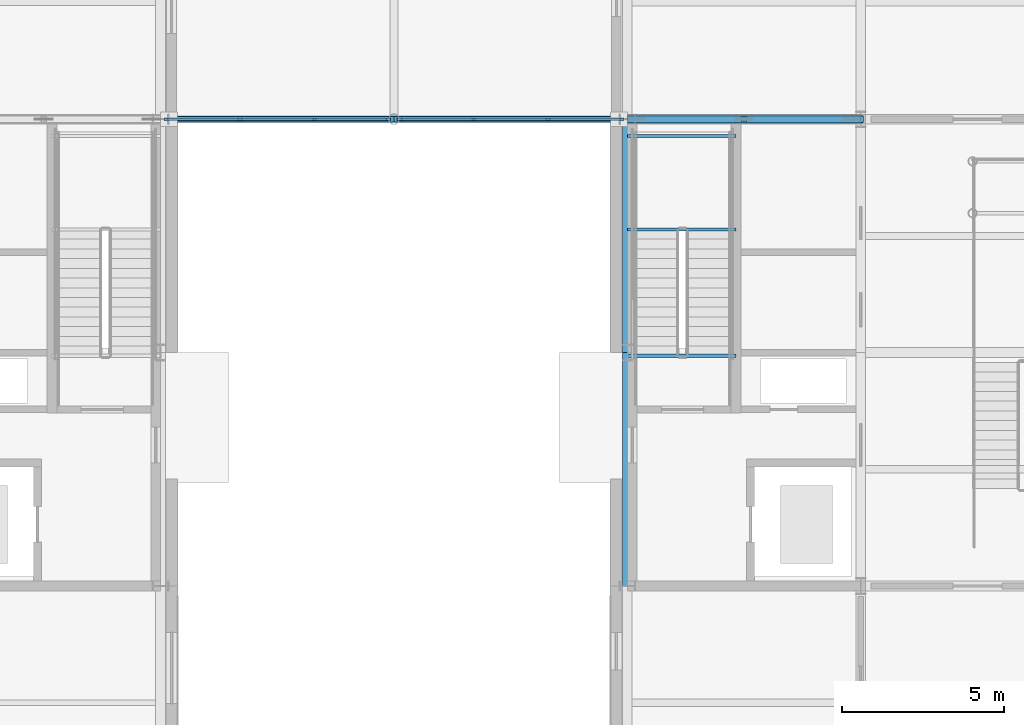
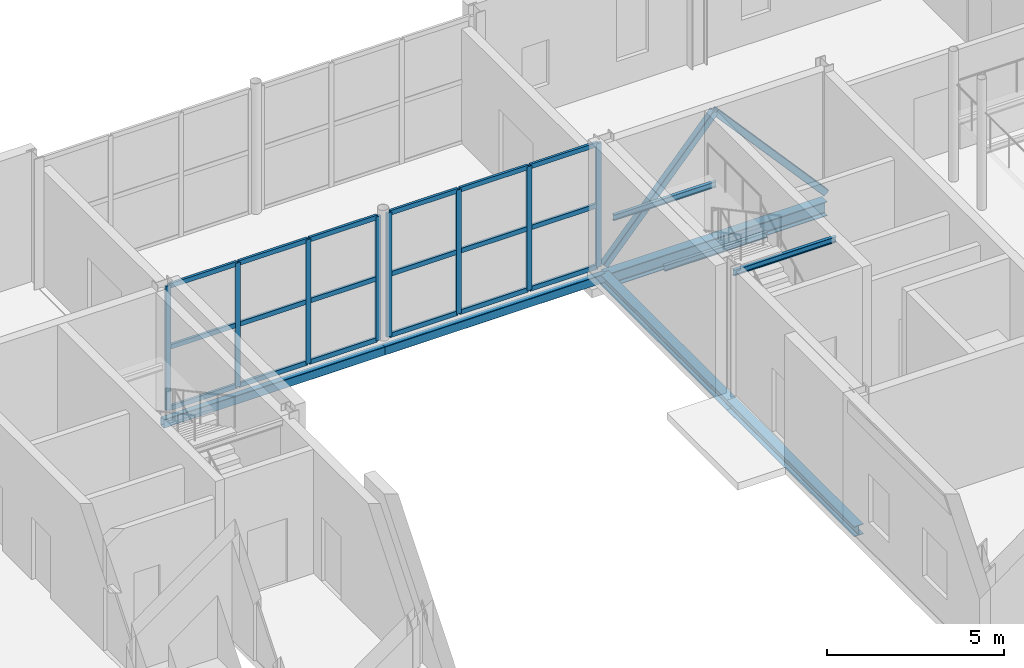
# One storey, part 22 of 92: 28 members, 8 beams, 2 elements without a shape of their own.
"""IFC4 building model written with IfcOpenShell, lengths in metres."""

from ifc_helpers import new_model, si_unit, direction, frame, origin, origin_2d, place, context, subcontext, project, spatial, rectangle, hollow_rectangle, i_section, extrude, material, material_profile, profile_set, type_object, element, aggregate, save


model = new_model("IFC4")

# Units and contexts
model_context = context("Model", 3, precision=1e-05, world=origin(), true_north=direction((0.0, 1.0)))
body_context = subcontext(model_context, "Body", "Model", "MODEL_VIEW")
ifc_project = project(units=[si_unit("LENGTHUNIT", "METRE"), si_unit("AREAUNIT", "SQUARE_METRE"), si_unit("VOLUMEUNIT", "CUBIC_METRE"), si_unit("PLANEANGLEUNIT", "RADIAN"), si_unit("MASSUNIT", "GRAM", prefix="KILO")], contexts=[model_context])

# Site, building, storey
site_placement = place(None, origin())
site = spatial("IfcSite", under=ifc_project, at=site_placement, CompositionType="ELEMENT")
building_placement = place(site_placement, origin())
building = spatial("IfcBuilding", under=site, at=building_placement, Name="Zlatovets Crest Museum", CompositionType="ELEMENT")
storey_placement = place(building_placement, origin())
storey = spatial("IfcBuildingStorey", under=building, at=storey_placement, Name="L00", CompositionType="ELEMENT", Elevation=0.0)

# Beams
ifc_material_1 = material(Name="Structural steel S355J2", Category="steel")
ifc_material_profile_1 = material_profile(ifc_material_1, i_section(OverallWidth=0.300048828125, OverallDepth=0.489990234375, WebThickness=0.011962890625, FlangeThickness=0.02294921875, FilletRadius=0.027099609375, at=origin_2d()), Name="HEA 500")
ifc_profile_set_1 = profile_set([ifc_material_profile_1], Name="Structural steel S355J2")
beam_type_1 = type_object("IfcBeamType", Name="Beam_B-01", PredefinedType="BEAM", material=ifc_profile_set_1)
beam_1_placement = place(storey_placement, frame((57.60009765625, 21.60009765625, -0.4951171875), z_axis=(1.0, 0.0, 0.0), x_axis=(0.0, 1.0, 0.0)))
element("IfcBeam", 1, at=beam_1_placement, inside=storey, type_object=beam_type_1, Name="V2 L00 Primary Girder B-01", PredefinedType="BEAM", context=body_context, shape_type="SweptSolid", body=[
    extrude(i_section(OverallWidth=0.300048828125, OverallDepth=0.489990234375, WebThickness=0.011962890625, FlangeThickness=0.02294921875, FilletRadius=0.027099609375, at=origin_2d()), origin(), (0.0, 0.0, 1.0), 7.199951171875),
])
ifc_material_profile_2 = material_profile(ifc_material_1, i_section(OverallWidth=0.300048828125, OverallDepth=0.35009765625, WebThickness=0.010009765625, FlangeThickness=0.017578125, FilletRadius=0.027099609375, at=origin_2d()), Name="HEA 360")
ifc_profile_set_2 = profile_set([ifc_material_profile_2], Name="Structural steel S355J2")
beam_type_2 = type_object("IfcBeamType", Name="Beam_B-03", PredefinedType="BEAM", material=ifc_profile_set_2)
beam_2_placement = place(storey_placement, frame((57.60009765625, 7.199951171875, -0.425048828125), z_axis=(0.0, 1.0, 0.0), x_axis=(-1.0, 0.0, 0.0)))
element("IfcBeam", 2, at=beam_2_placement, inside=storey, type_object=beam_type_2, Name="V2 L00 Grid Beam B-03", PredefinedType="BEAM", context=body_context, shape_type="SweptSolid", body=[
    extrude(i_section(OverallWidth=0.300048828125, OverallDepth=0.35009765625, WebThickness=0.010009765625, FlangeThickness=0.017578125, FilletRadius=0.027099609375, at=origin_2d()), origin(), (0.0, 0.0, 1.0), 7.199951171875),
])
beam_3_placement = place(storey_placement, frame((57.60009765625, 14.39990234375, -0.425048828125), z_axis=(0.0, 1.0, 0.0), x_axis=(-1.0, 0.0, 0.0)))
element("IfcBeam", 3, at=beam_3_placement, inside=storey, type_object=beam_type_2, Name="V2 L00 Grid Beam B-03", PredefinedType="BEAM", context=body_context, shape_type="SweptSolid", body=[
    extrude(i_section(OverallWidth=0.300048828125, OverallDepth=0.35009765625, WebThickness=0.010009765625, FlangeThickness=0.017578125, FilletRadius=0.027099609375, at=origin_2d()), origin(), (0.0, 0.0, 1.0), 7.2001953125),
])
ifc_material_profile_3 = material_profile(ifc_material_1, hollow_rectangle(XDim=0.199951171875, YDim=0.300048828125, WallThickness=0.012451171875, InnerFilletRadius=0.012451171875, OuterFilletRadius=0.02490234375, at=origin_2d()), Name="RHS 200x300x12.5")
ifc_profile_set_3 = profile_set([ifc_material_profile_3], Name="Structural steel S355J2")
beam_type_3 = type_object("IfcBeamType", Name="Beam_BRG-01", PredefinedType="BEAM", material=ifc_profile_set_3)
beam_4_placement = place(storey_placement, frame((43.199951171875, 21.60009765625, -0.39990234375), z_axis=(1.0, 0.0, 0.0), x_axis=(0.0, 1.0, 0.0)))
element("IfcBeam", 4, at=beam_4_placement, inside=storey, type_object=beam_type_3, Name="South Forecourt Glazed Link Bridge L00 Stringer Beam", PredefinedType="BEAM", context=body_context, shape_type="SweptSolid", body=[
    extrude(hollow_rectangle(XDim=0.199951171875, YDim=0.300048828125, WallThickness=0.012451171875, InnerFilletRadius=0.012451171875, OuterFilletRadius=0.02490234375, at=origin_2d()), origin(), (0.0, 0.0, 1.0), 7.199951171875),
])
beam_5_placement = place(storey_placement, frame((50.39990234375, 21.60009765625, -0.39990234375), z_axis=(1.0, 0.0, 0.0), x_axis=(0.0, 1.0, 0.0)))
element("IfcBeam", 5, at=beam_5_placement, inside=storey, type_object=beam_type_3, Name="South Forecourt Glazed Link Bridge L00 Stringer Beam", PredefinedType="BEAM", context=body_context, shape_type="SweptSolid", body=[
    extrude(hollow_rectangle(XDim=0.199951171875, YDim=0.300048828125, WallThickness=0.012451171875, InnerFilletRadius=0.012451171875, OuterFilletRadius=0.02490234375, at=origin_2d()), origin(), (0.0, 0.0, 1.0), 7.2001953125),
])
ifc_material_profile_4 = material_profile(ifc_material_1, i_section(OverallWidth=0.10009765625, OverallDepth=0.199951171875, WebThickness=0.005615234375, FlangeThickness=0.008544921875, FilletRadius=0.011962890625, at=origin_2d()), Name="IPE 200")
ifc_profile_set_4 = profile_set([ifc_material_profile_4], Name="Structural steel S355J2")
beam_type_4 = type_object("IfcBeamType", Name="Beam_PR-02", PredefinedType="LINTEL", material=ifc_profile_set_4)
for number, where, z_axis, x_axis, name in (
    (6, (57.60009765625, 14.300048828125, 4.159912109375), (1.0, 0.0, 0.0), (0.0, 1.0, 0.0), "Core C2 L00 Stair Well Header Beam"),
    (7, (57.60009765625, 18.199951171875, 1.949951171875), (1.0, 0.0, 0.0), (0.0, 1.0, 0.0), "Core C2 L00 Half-Landing Support Beam"),
    (8, (57.60009765625, 21.080078125, 1.949951171875), (1.0, 0.0, 0.0), (0.0, 1.0, 0.0), "Core C2 L00 Half-Landing Support Beam"),
):
    element("IfcBeam", number, at=place(storey_placement, frame(where, z_axis=z_axis, x_axis=x_axis)), inside=storey, type_object=beam_type_4, Name=name, PredefinedType="LINTEL", context=body_context, shape_type="SweptSolid", body=[
        extrude(i_section(OverallWidth=0.10009765625, OverallDepth=0.199951171875, WebThickness=0.005615234375, FlangeThickness=0.008544921875, FilletRadius=0.011962890625, at=origin_2d()), origin(), (0.0, 0.0, 1.0), 3.349853515625),
    ])

# Curtain wall, members
ifc_material_2 = material(Name="Bronze-anodised aluminium and low-E triple glass", Category="aluminium")
curtain_wall_type = type_object("IfcCurtainWallType", Name="CW_CW-BR1-L00-S69", PredefinedType="NOTDEFINED", material=ifc_material_2)
curtain_wall_1_placement = place(storey_placement, origin())
curtain_wall_1 = element("IfcCurtainWall", 9, at=curtain_wall_1_placement, inside=storey, type_object=curtain_wall_type, Name="South Forecourt Glazed Link Bridge L00 Glazed Bridge Curtain Wall", PredefinedType="NOTDEFINED")
ifc_material_3 = material(Name="Bronze-anodised aluminium EN AW-6060", Category="aluminium")
ifc_material_profile_5 = material_profile(ifc_material_3, rectangle(XDim=0.080078125, YDim=0.159912109375, at=origin_2d()), Name="ALU 80x160")
ifc_profile_set_5 = profile_set([ifc_material_profile_5], Name="Bronze-anodised aluminium EN AW-6060")
member_type_1 = type_object("IfcMemberType", Name="CWMull_M1", PredefinedType="MULLION", material=ifc_profile_set_5)
member_1_placement = place(storey_placement, frame((43.3798828125, 21.60009765625, 0.0), z_axis=(0.0, 0.0, 1.0), x_axis=(0.0, 1.0, 0.0)))
member_1 = element("IfcMember", 10, at=member_1_placement, type_object=member_type_1, Name="CW-BR1-L00-S69 mullion 1", PredefinedType="MULLION", context=body_context, shape_type="SweptSolid", body=[
    extrude(rectangle(XDim=0.080078125, YDim=0.159912109375, at=origin_2d()), origin(), (0.0, 0.0, 1.0), 4.280029296875),
])
member_2_placement = place(storey_placement, frame((45.64990234375, 21.60009765625, 0.0), z_axis=(0.0, 0.0, 1.0), x_axis=(0.0, 1.0, 0.0)))
member_2 = element("IfcMember", 11, at=member_2_placement, type_object=member_type_1, Name="CW-BR1-L00-S69 mullion 2", PredefinedType="MULLION", context=body_context, shape_type="SweptSolid", body=[
    extrude(rectangle(XDim=0.080078125, YDim=0.159912109375, at=origin_2d()), origin(), (0.0, 0.0, 1.0), 4.280029296875),
])
member_3_placement = place(storey_placement, frame((47.949951171875, 21.60009765625, 0.0), z_axis=(0.0, 0.0, 1.0), x_axis=(0.0, 1.0, 0.0)))
member_3 = element("IfcMember", 12, at=member_3_placement, type_object=member_type_1, Name="CW-BR1-L00-S69 mullion 3", PredefinedType="MULLION", context=body_context, shape_type="SweptSolid", body=[
    extrude(rectangle(XDim=0.080078125, YDim=0.159912109375, at=origin_2d()), origin(), (0.0, 0.0, 1.0), 4.280029296875),
])
member_4_placement = place(storey_placement, frame((50.219970703125, 21.60009765625, 0.0), z_axis=(0.0, 0.0, 1.0), x_axis=(0.0, 1.0, 0.0)))
member_4 = element("IfcMember", 13, at=member_4_placement, type_object=member_type_1, Name="CW-BR1-L00-S69 mullion 4", PredefinedType="MULLION", context=body_context, shape_type="SweptSolid", body=[
    extrude(rectangle(XDim=0.080078125, YDim=0.159912109375, at=origin_2d()), origin(), (0.0, 0.0, 1.0), 4.280029296875),
])

curtain_wall_2_placement = place(storey_placement, origin())
curtain_wall_2 = element("IfcCurtainWall", 14, at=curtain_wall_2_placement, inside=storey, type_object=curtain_wall_type, Name="South Forecourt Glazed Link Bridge L00 Glazed Bridge Curtain Wall", PredefinedType="NOTDEFINED")
member_5_placement = place(storey_placement, frame((50.580078125, 21.60009765625, 0.0), z_axis=(0.0, 0.0, 1.0), x_axis=(0.0, 1.0, 0.0)))
member_5 = element("IfcMember", 15, at=member_5_placement, type_object=member_type_1, Name="CW-BR1-L00-S69 mullion 1", PredefinedType="MULLION", context=body_context, shape_type="SweptSolid", body=[
    extrude(rectangle(XDim=0.080078125, YDim=0.159912109375, at=origin_2d()), origin(), (0.0, 0.0, 1.0), 4.280029296875),
])
member_6_placement = place(storey_placement, frame((52.85009765625, 21.60009765625, 0.0), z_axis=(0.0, 0.0, 1.0), x_axis=(0.0, 1.0, 0.0)))
member_6 = element("IfcMember", 16, at=member_6_placement, type_object=member_type_1, Name="CW-BR1-L00-S69 mullion 2", PredefinedType="MULLION", context=body_context, shape_type="SweptSolid", body=[
    extrude(rectangle(XDim=0.080078125, YDim=0.159912109375, at=origin_2d()), origin(), (0.0, 0.0, 1.0), 4.280029296875),
])
member_7_placement = place(storey_placement, frame((55.14990234375, 21.60009765625, 0.0), z_axis=(0.0, 0.0, 1.0), x_axis=(0.0, 1.0, 0.0)))
member_7 = element("IfcMember", 17, at=member_7_placement, type_object=member_type_1, Name="CW-BR1-L00-S69 mullion 3", PredefinedType="MULLION", context=body_context, shape_type="SweptSolid", body=[
    extrude(rectangle(XDim=0.080078125, YDim=0.159912109375, at=origin_2d()), origin(), (0.0, 0.0, 1.0), 4.280029296875),
])
member_8_placement = place(storey_placement, frame((57.419921875, 21.60009765625, 0.0), z_axis=(0.0, 0.0, 1.0), x_axis=(0.0, 1.0, 0.0)))
member_8 = element("IfcMember", 18, at=member_8_placement, type_object=member_type_1, Name="CW-BR1-L00-S69 mullion 4", PredefinedType="MULLION", context=body_context, shape_type="SweptSolid", body=[
    extrude(rectangle(XDim=0.080078125, YDim=0.159912109375, at=origin_2d()), origin(), (0.0, 0.0, 1.0), 4.280029296875),
])

# Member
ifc_material_profile_6 = material_profile(ifc_material_3, rectangle(XDim=0.080078125, YDim=0.159912109375, at=origin_2d()), Name="ALU 80x160")
ifc_profile_set_6 = profile_set([ifc_material_profile_6], Name="Bronze-anodised aluminium EN AW-6060")
member_type_2 = type_object("IfcMemberType", Name="CWTrans_T1", PredefinedType="USERDEFINED", material=ifc_profile_set_6)
member_9_placement = place(storey_placement, frame((43.409912109375, 21.60009765625, 0.030029296875), z_axis=(1.0, 0.0, 0.0), x_axis=(0.0, 1.0, 0.0)))
member_9 = element("IfcMember", 19, at=member_9_placement, type_object=member_type_2, Name="CW-BR1-L00-S69 transom 1.1", ObjectType="TRANSOM", PredefinedType="USERDEFINED", context=body_context, shape_type="SweptSolid", body=[
    extrude(rectangle(XDim=0.080078125, YDim=0.159912109375, at=origin_2d()), origin(), (0.0, 0.0, 1.0), 2.210205078125),
])

member_10_placement = place(storey_placement, frame((43.409912109375, 21.60009765625, 2.139892578125), z_axis=(1.0, 0.0, 0.0), x_axis=(0.0, 1.0, 0.0)))
member_10 = element("IfcMember", 20, at=member_10_placement, type_object=member_type_2, Name="CW-BR1-L00-S69 transom 1.2", ObjectType="TRANSOM", PredefinedType="USERDEFINED", context=body_context, shape_type="SweptSolid", body=[
    extrude(rectangle(XDim=0.080078125, YDim=0.159912109375, at=origin_2d()), origin(), (0.0, 0.0, 1.0), 2.210205078125),
])

member_11_placement = place(storey_placement, frame((43.409912109375, 21.60009765625, 4.25), z_axis=(1.0, 0.0, 0.0), x_axis=(0.0, 1.0, 0.0)))
member_11 = element("IfcMember", 21, at=member_11_placement, type_object=member_type_2, Name="CW-BR1-L00-S69 transom 1.3", ObjectType="TRANSOM", PredefinedType="USERDEFINED", context=body_context, shape_type="SweptSolid", body=[
    extrude(rectangle(XDim=0.080078125, YDim=0.159912109375, at=origin_2d()), origin(), (0.0, 0.0, 1.0), 2.210205078125),
])

member_12_placement = place(storey_placement, frame((45.679931640625, 21.60009765625, 0.030029296875), z_axis=(1.0, 0.0, 0.0), x_axis=(0.0, 1.0, 0.0)))
member_12 = element("IfcMember", 22, at=member_12_placement, type_object=member_type_2, Name="CW-BR1-L00-S69 transom 2.1", ObjectType="TRANSOM", PredefinedType="USERDEFINED", context=body_context, shape_type="SweptSolid", body=[
    extrude(rectangle(XDim=0.080078125, YDim=0.159912109375, at=origin_2d()), origin(), (0.0, 0.0, 1.0), 2.239990234375),
])

member_13_placement = place(storey_placement, frame((45.679931640625, 21.60009765625, 2.139892578125), z_axis=(1.0, 0.0, 0.0), x_axis=(0.0, 1.0, 0.0)))
member_13 = element("IfcMember", 23, at=member_13_placement, type_object=member_type_2, Name="CW-BR1-L00-S69 transom 2.2", ObjectType="TRANSOM", PredefinedType="USERDEFINED", context=body_context, shape_type="SweptSolid", body=[
    extrude(rectangle(XDim=0.080078125, YDim=0.159912109375, at=origin_2d()), origin(), (0.0, 0.0, 1.0), 2.239990234375),
])

member_14_placement = place(storey_placement, frame((45.679931640625, 21.60009765625, 4.25), z_axis=(1.0, 0.0, 0.0), x_axis=(0.0, 1.0, 0.0)))
member_14 = element("IfcMember", 24, at=member_14_placement, type_object=member_type_2, Name="CW-BR1-L00-S69 transom 2.3", ObjectType="TRANSOM", PredefinedType="USERDEFINED", context=body_context, shape_type="SweptSolid", body=[
    extrude(rectangle(XDim=0.080078125, YDim=0.159912109375, at=origin_2d()), origin(), (0.0, 0.0, 1.0), 2.239990234375),
])

member_15_placement = place(storey_placement, frame((47.97998046875, 21.60009765625, 0.030029296875), z_axis=(1.0, 0.0, 0.0), x_axis=(0.0, 1.0, 0.0)))
member_15 = element("IfcMember", 25, at=member_15_placement, type_object=member_type_2, Name="CW-BR1-L00-S69 transom 3.1", ObjectType="TRANSOM", PredefinedType="USERDEFINED", context=body_context, shape_type="SweptSolid", body=[
    extrude(rectangle(XDim=0.080078125, YDim=0.159912109375, at=origin_2d()), origin(), (0.0, 0.0, 1.0), 2.2099609375),
])

member_16_placement = place(storey_placement, frame((47.97998046875, 21.60009765625, 2.139892578125), z_axis=(1.0, 0.0, 0.0), x_axis=(0.0, 1.0, 0.0)))
member_16 = element("IfcMember", 26, at=member_16_placement, type_object=member_type_2, Name="CW-BR1-L00-S69 transom 3.2", ObjectType="TRANSOM", PredefinedType="USERDEFINED", context=body_context, shape_type="SweptSolid", body=[
    extrude(rectangle(XDim=0.080078125, YDim=0.159912109375, at=origin_2d()), origin(), (0.0, 0.0, 1.0), 2.2099609375),
])

member_17_placement = place(storey_placement, frame((47.97998046875, 21.60009765625, 4.25), z_axis=(1.0, 0.0, 0.0), x_axis=(0.0, 1.0, 0.0)))
member_17 = element("IfcMember", 27, at=member_17_placement, type_object=member_type_2, Name="CW-BR1-L00-S69 transom 3.3", ObjectType="TRANSOM", PredefinedType="USERDEFINED", context=body_context, shape_type="SweptSolid", body=[
    extrude(rectangle(XDim=0.080078125, YDim=0.159912109375, at=origin_2d()), origin(), (0.0, 0.0, 1.0), 2.2099609375),
])

aggregate(curtain_wall_1, [member_1, member_2, member_3, member_4, member_9, member_10, member_11, member_12, member_13, member_14, member_15, member_16, member_17])

member_18_placement = place(storey_placement, frame((50.610107421875, 21.60009765625, 0.030029296875), z_axis=(1.0, 0.0, 0.0), x_axis=(0.0, 1.0, 0.0)))
member_18 = element("IfcMember", 28, at=member_18_placement, type_object=member_type_2, Name="CW-BR1-L00-S69 transom 1.1", ObjectType="TRANSOM", PredefinedType="USERDEFINED", context=body_context, shape_type="SweptSolid", body=[
    extrude(rectangle(XDim=0.080078125, YDim=0.159912109375, at=origin_2d()), origin(), (0.0, 0.0, 1.0), 2.2099609375),
])

member_19_placement = place(storey_placement, frame((50.610107421875, 21.60009765625, 2.139892578125), z_axis=(1.0, 0.0, 0.0), x_axis=(0.0, 1.0, 0.0)))
member_19 = element("IfcMember", 29, at=member_19_placement, type_object=member_type_2, Name="CW-BR1-L00-S69 transom 1.2", ObjectType="TRANSOM", PredefinedType="USERDEFINED", context=body_context, shape_type="SweptSolid", body=[
    extrude(rectangle(XDim=0.080078125, YDim=0.159912109375, at=origin_2d()), origin(), (0.0, 0.0, 1.0), 2.2099609375),
])

member_20_placement = place(storey_placement, frame((50.610107421875, 21.60009765625, 4.25), z_axis=(1.0, 0.0, 0.0), x_axis=(0.0, 1.0, 0.0)))
member_20 = element("IfcMember", 30, at=member_20_placement, type_object=member_type_2, Name="CW-BR1-L00-S69 transom 1.3", ObjectType="TRANSOM", PredefinedType="USERDEFINED", context=body_context, shape_type="SweptSolid", body=[
    extrude(rectangle(XDim=0.080078125, YDim=0.159912109375, at=origin_2d()), origin(), (0.0, 0.0, 1.0), 2.2099609375),
])

member_21_placement = place(storey_placement, frame((52.8798828125, 21.60009765625, 0.030029296875), z_axis=(1.0, 0.0, 0.0), x_axis=(0.0, 1.0, 0.0)))
member_21 = element("IfcMember", 31, at=member_21_placement, type_object=member_type_2, Name="CW-BR1-L00-S69 transom 2.1", ObjectType="TRANSOM", PredefinedType="USERDEFINED", context=body_context, shape_type="SweptSolid", body=[
    extrude(rectangle(XDim=0.080078125, YDim=0.159912109375, at=origin_2d()), origin(), (0.0, 0.0, 1.0), 2.240234375),
])

member_22_placement = place(storey_placement, frame((52.8798828125, 21.60009765625, 2.139892578125), z_axis=(1.0, 0.0, 0.0), x_axis=(0.0, 1.0, 0.0)))
member_22 = element("IfcMember", 32, at=member_22_placement, type_object=member_type_2, Name="CW-BR1-L00-S69 transom 2.2", ObjectType="TRANSOM", PredefinedType="USERDEFINED", context=body_context, shape_type="SweptSolid", body=[
    extrude(rectangle(XDim=0.080078125, YDim=0.159912109375, at=origin_2d()), origin(), (0.0, 0.0, 1.0), 2.240234375),
])

member_23_placement = place(storey_placement, frame((52.8798828125, 21.60009765625, 4.25), z_axis=(1.0, 0.0, 0.0), x_axis=(0.0, 1.0, 0.0)))
member_23 = element("IfcMember", 33, at=member_23_placement, type_object=member_type_2, Name="CW-BR1-L00-S69 transom 2.3", ObjectType="TRANSOM", PredefinedType="USERDEFINED", context=body_context, shape_type="SweptSolid", body=[
    extrude(rectangle(XDim=0.080078125, YDim=0.159912109375, at=origin_2d()), origin(), (0.0, 0.0, 1.0), 2.240234375),
])

member_24_placement = place(storey_placement, frame((55.179931640625, 21.60009765625, 0.030029296875), z_axis=(1.0, 0.0, 0.0), x_axis=(0.0, 1.0, 0.0)))
member_24 = element("IfcMember", 34, at=member_24_placement, type_object=member_type_2, Name="CW-BR1-L00-S69 transom 3.1", ObjectType="TRANSOM", PredefinedType="USERDEFINED", context=body_context, shape_type="SweptSolid", body=[
    extrude(rectangle(XDim=0.080078125, YDim=0.159912109375, at=origin_2d()), origin(), (0.0, 0.0, 1.0), 2.2099609375),
])

member_25_placement = place(storey_placement, frame((55.179931640625, 21.60009765625, 2.139892578125), z_axis=(1.0, 0.0, 0.0), x_axis=(0.0, 1.0, 0.0)))
member_25 = element("IfcMember", 35, at=member_25_placement, type_object=member_type_2, Name="CW-BR1-L00-S69 transom 3.2", ObjectType="TRANSOM", PredefinedType="USERDEFINED", context=body_context, shape_type="SweptSolid", body=[
    extrude(rectangle(XDim=0.080078125, YDim=0.159912109375, at=origin_2d()), origin(), (0.0, 0.0, 1.0), 2.2099609375),
])

member_26_placement = place(storey_placement, frame((55.179931640625, 21.60009765625, 4.25), z_axis=(1.0, 0.0, 0.0), x_axis=(0.0, 1.0, 0.0)))
member_26 = element("IfcMember", 36, at=member_26_placement, type_object=member_type_2, Name="CW-BR1-L00-S69 transom 3.3", ObjectType="TRANSOM", PredefinedType="USERDEFINED", context=body_context, shape_type="SweptSolid", body=[
    extrude(rectangle(XDim=0.080078125, YDim=0.159912109375, at=origin_2d()), origin(), (0.0, 0.0, 1.0), 2.2099609375),
])

aggregate(curtain_wall_2, [member_5, member_6, member_7, member_8, member_18, member_19, member_20, member_21, member_22, member_23, member_24, member_25, member_26])

# Members
ifc_material_profile_7 = material_profile(ifc_material_1, hollow_rectangle(XDim=0.219970703125, YDim=0.219970703125, WallThickness=0.012451171875, InnerFilletRadius=0.012451171875, OuterFilletRadius=0.02490234375, at=origin_2d()), Name="SHS 220x220x12.5")
ifc_profile_set_7 = profile_set([ifc_material_profile_7], Name="Structural steel S355J2")
member_type_3 = type_object("IfcMemberType", Name="Member_BR-07", PredefinedType="BRACE", material=ifc_profile_set_7)
for number, where, z_axis, x_axis, name in (
    (37, (57.60009765625, 21.60009765625, 0.0), (0.664344262737, 0.0, 0.747426719196), (0.0, 1.0, 0.0), "V2 L00 Concentric Seismic Brace"),
    (38, (64.800048828125, 21.60009765625, 0.0), (-0.664369431748, 0.0, 0.747404347163), (0.0, -1.0, 0.0), "V2 L00 Concentric Seismic Brace"),
):
    element("IfcMember", number, at=place(storey_placement, frame(where, z_axis=z_axis, x_axis=x_axis)), inside=storey, type_object=member_type_3, Name=name, PredefinedType="BRACE", context=body_context, shape_type="SweptSolid", body=[
        extrude(hollow_rectangle(XDim=0.219970703125, YDim=0.219970703125, WallThickness=0.012451171875, InnerFilletRadius=0.012451171875, OuterFilletRadius=0.02490234375, at=origin_2d()), origin(), (0.0, 0.0, 1.0), 5.418701171875),
    ])

save(model, "model.ifc")
